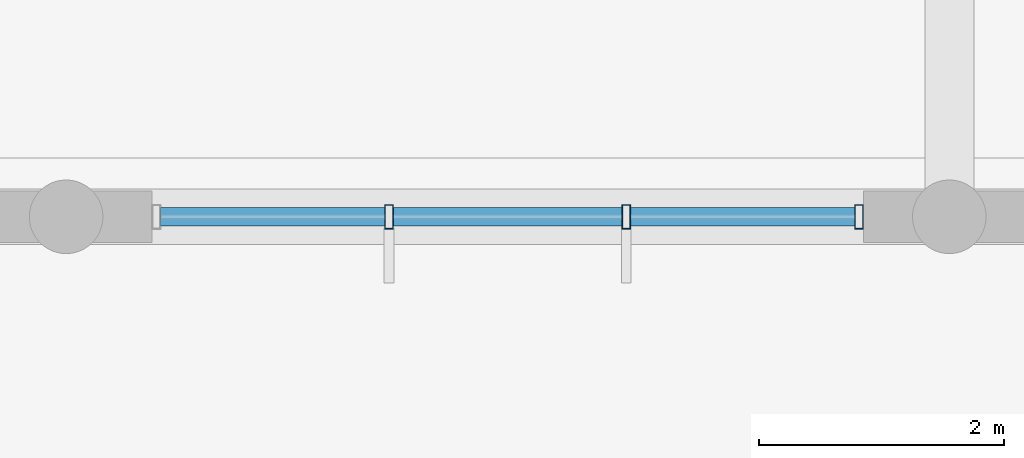
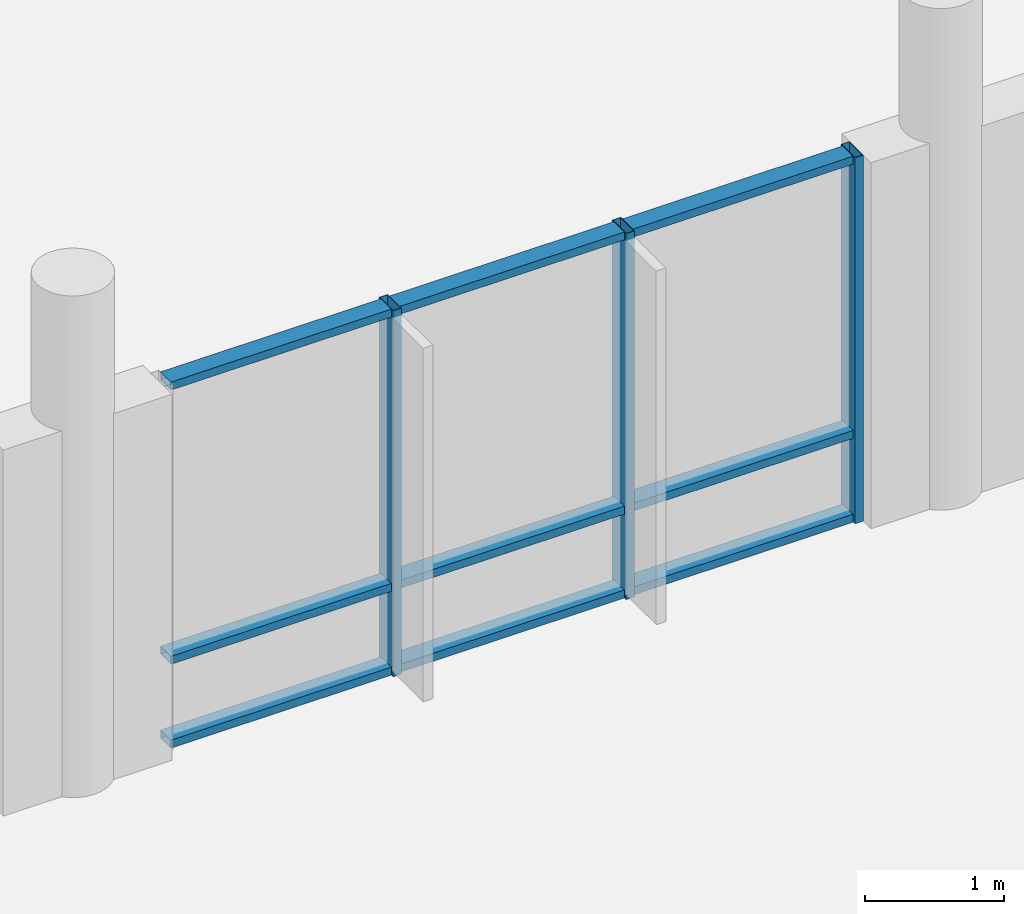
# One storey, part 67 of 233: 12 members, 1 element without a shape of its own.
"""IFC4 building model written with IfcOpenShell, lengths in metres."""

from ifc_helpers import new_model, si_unit, direction, frame, origin, origin_2d, place, context, subcontext, project, spatial, hollow_rectangle, extrude, material, material_profile, profile_set, type_object, element, aggregate, save


model = new_model("IFC4")

# Units and contexts
model_context = context("Model", 3, precision=1e-05, world=origin(), true_north=direction((0.0, 1.0)))
body_context = subcontext(model_context, "Body", "Model", "MODEL_VIEW")
ifc_project = project(units=[si_unit("LENGTHUNIT", "METRE"), si_unit("AREAUNIT", "SQUARE_METRE"), si_unit("VOLUMEUNIT", "CUBIC_METRE"), si_unit("PLANEANGLEUNIT", "RADIAN"), si_unit("MASSUNIT", "GRAM", prefix="KILO")], contexts=[model_context])

# Site, building, storey
site_placement = place(None, origin())
site = spatial("IfcSite", under=ifc_project, at=site_placement, CompositionType="ELEMENT")
building_placement = place(site_placement, origin())
building = spatial("IfcBuilding", under=site, at=building_placement, Name="Zavelmont Quarter", CompositionType="ELEMENT")
storey_placement = place(building_placement, origin())
storey = spatial("IfcBuildingStorey", under=building, at=storey_placement, Name="L00", CompositionType="ELEMENT", Elevation=0.0)

# Curtain wall, members
ifc_material_1 = material(Name="Thermally broken aluminium and double low-E safety glazing", Category="aluminium")
curtain_wall_type = type_object("IfcCurtainWallType", Name="CW-580X321", PredefinedType="NOTDEFINED", material=ifc_material_1)
curtain_wall_placement = place(storey_placement, origin())
curtain_wall = element("IfcCurtainWall", 1, at=curtain_wall_placement, inside=storey, type_object=curtain_wall_type, Name="L00 unitised curtain wall CW-580X321", PredefinedType="NOTDEFINED")
ifc_material_2 = material(Name="Powder-coated aluminium EN AW-6063-T6", Category="aluminium")
ifc_material_profile_1 = material_profile(ifc_material_2, hollow_rectangle(XDim=0.070068359375, YDim=0.199951171875, WallThickness=0.0048828125, at=origin_2d()), Name="CWM70X200")
ifc_profile_set_1 = profile_set([ifc_material_profile_1], Name="Powder-coated aluminium EN AW-6063-T6")
member_type_1 = type_object("IfcMemberType", Name="CWM02", PredefinedType="MULLION", material=ifc_profile_set_1)
member_1_placement = place(storey_placement, frame((65.033447265625, 30.0, 0.0), z_axis=(0.0, 0.0, 1.0), x_axis=(1.0, 0.0, 0.0)))
member_1 = element("IfcMember", 2, at=member_1_placement, type_object=member_type_1, Name="CW-580X321 mullion 2", PredefinedType="MULLION", context=body_context, shape_type="SweptSolid", body=[
    extrude(hollow_rectangle(XDim=0.070068359375, YDim=0.199951171875, WallThickness=0.0048828125, at=origin_2d()), origin(), (0.0, 0.0, 1.0), 3.2099609375),
])
member_2_placement = place(storey_placement, frame((66.966552734375, 30.0, 0.0), z_axis=(0.0, 0.0, 1.0), x_axis=(1.0, 0.0, 0.0)))
member_2 = element("IfcMember", 3, at=member_2_placement, type_object=member_type_1, Name="CW-580X321 mullion 3", PredefinedType="MULLION", context=body_context, shape_type="SweptSolid", body=[
    extrude(hollow_rectangle(XDim=0.070068359375, YDim=0.199951171875, WallThickness=0.0048828125, at=origin_2d()), origin(), (0.0, 0.0, 1.0), 3.2099609375),
])
member_3_placement = place(storey_placement, frame((68.864990234375, 30.0, 0.0), z_axis=(0.0, 0.0, 1.0), x_axis=(1.0, 0.0, 0.0)))
member_3 = element("IfcMember", 4, at=member_3_placement, type_object=member_type_1, Name="CW-580X321 mullion 4", PredefinedType="MULLION", context=body_context, shape_type="SweptSolid", body=[
    extrude(hollow_rectangle(XDim=0.070068359375, YDim=0.199951171875, WallThickness=0.0048828125, at=origin_2d()), origin(), (0.0, 0.0, 1.0), 3.2099609375),
])
ifc_material_profile_2 = material_profile(ifc_material_2, hollow_rectangle(XDim=0.14990234375, YDim=0.070068359375, WallThickness=0.00439453125, at=origin_2d()), Name="CWT70X150")
ifc_profile_set_2 = profile_set([ifc_material_profile_2], Name="Powder-coated aluminium EN AW-6063-T6")
member_type_2 = type_object("IfcMemberType", Name="CWT02", PredefinedType="NOTDEFINED", material=ifc_profile_set_2)
member_4_placement = place(storey_placement, frame((63.169921875, 30.0, 0.034912109375), z_axis=(1.0, 0.0, 0.0), x_axis=(0.0, 1.0, 0.0)))
member_4 = element("IfcMember", 5, at=member_4_placement, type_object=member_type_2, Name="CW-580X321 transom 1.1", ObjectType="TRANSOM", PredefinedType="USERDEFINED", context=body_context, shape_type="SweptSolid", body=[
    extrude(hollow_rectangle(XDim=0.14990234375, YDim=0.070068359375, WallThickness=0.00439453125, at=origin_2d()), origin(), (0.0, 0.0, 1.0), 1.828369140625),
])
member_5_placement = place(storey_placement, frame((63.169921875, 30.0, 0.77001953125), z_axis=(1.0, 0.0, 0.0), x_axis=(0.0, 1.0, 0.0)))
member_5 = element("IfcMember", 6, at=member_5_placement, type_object=member_type_2, Name="CW-580X321 transom 1.2", ObjectType="TRANSOM", PredefinedType="USERDEFINED", context=body_context, shape_type="SweptSolid", body=[
    extrude(hollow_rectangle(XDim=0.14990234375, YDim=0.070068359375, WallThickness=0.00439453125, at=origin_2d()), origin(), (0.0, 0.0, 1.0), 1.828369140625),
])
member_6_placement = place(storey_placement, frame((63.169921875, 30.0, 3.175048828125), z_axis=(1.0, 0.0, 0.0), x_axis=(0.0, 1.0, 0.0)))
member_6 = element("IfcMember", 7, at=member_6_placement, type_object=member_type_2, Name="CW-580X321 transom 1.3", ObjectType="TRANSOM", PredefinedType="USERDEFINED", context=body_context, shape_type="SweptSolid", body=[
    extrude(hollow_rectangle(XDim=0.14990234375, YDim=0.070068359375, WallThickness=0.00439453125, at=origin_2d()), origin(), (0.0, 0.0, 1.0), 1.828369140625),
])
member_7_placement = place(storey_placement, frame((65.068359375, 30.0, 0.034912109375), z_axis=(1.0, 0.0, 0.0), x_axis=(0.0, 1.0, 0.0)))
member_7 = element("IfcMember", 8, at=member_7_placement, type_object=member_type_2, Name="CW-580X321 transom 2.1", ObjectType="TRANSOM", PredefinedType="USERDEFINED", context=body_context, shape_type="SweptSolid", body=[
    extrude(hollow_rectangle(XDim=0.14990234375, YDim=0.070068359375, WallThickness=0.00439453125, at=origin_2d()), origin(), (0.0, 0.0, 1.0), 1.86328125),
])
member_8_placement = place(storey_placement, frame((65.068359375, 30.0, 0.77001953125), z_axis=(1.0, 0.0, 0.0), x_axis=(0.0, 1.0, 0.0)))
member_8 = element("IfcMember", 9, at=member_8_placement, type_object=member_type_2, Name="CW-580X321 transom 2.2", ObjectType="TRANSOM", PredefinedType="USERDEFINED", context=body_context, shape_type="SweptSolid", body=[
    extrude(hollow_rectangle(XDim=0.14990234375, YDim=0.070068359375, WallThickness=0.00439453125, at=origin_2d()), origin(), (0.0, 0.0, 1.0), 1.86328125),
])
member_9_placement = place(storey_placement, frame((65.068359375, 30.0, 3.175048828125), z_axis=(1.0, 0.0, 0.0), x_axis=(0.0, 1.0, 0.0)))
member_9 = element("IfcMember", 10, at=member_9_placement, type_object=member_type_2, Name="CW-580X321 transom 2.3", ObjectType="TRANSOM", PredefinedType="USERDEFINED", context=body_context, shape_type="SweptSolid", body=[
    extrude(hollow_rectangle(XDim=0.14990234375, YDim=0.070068359375, WallThickness=0.00439453125, at=origin_2d()), origin(), (0.0, 0.0, 1.0), 1.86328125),
])
member_10_placement = place(storey_placement, frame((67.001708984375, 30.0, 0.034912109375), z_axis=(1.0, 0.0, 0.0), x_axis=(0.0, 1.0, 0.0)))
member_10 = element("IfcMember", 11, at=member_10_placement, type_object=member_type_2, Name="CW-580X321 transom 3.1", ObjectType="TRANSOM", PredefinedType="USERDEFINED", context=body_context, shape_type="SweptSolid", body=[
    extrude(hollow_rectangle(XDim=0.14990234375, YDim=0.070068359375, WallThickness=0.00439453125, at=origin_2d()), origin(), (0.0, 0.0, 1.0), 1.828369140625),
])
member_11_placement = place(storey_placement, frame((67.001708984375, 30.0, 0.77001953125), z_axis=(1.0, 0.0, 0.0), x_axis=(0.0, 1.0, 0.0)))
member_11 = element("IfcMember", 12, at=member_11_placement, type_object=member_type_2, Name="CW-580X321 transom 3.2", ObjectType="TRANSOM", PredefinedType="USERDEFINED", context=body_context, shape_type="SweptSolid", body=[
    extrude(hollow_rectangle(XDim=0.14990234375, YDim=0.070068359375, WallThickness=0.00439453125, at=origin_2d()), origin(), (0.0, 0.0, 1.0), 1.828369140625),
])
member_12_placement = place(storey_placement, frame((67.001708984375, 30.0, 3.175048828125), z_axis=(1.0, 0.0, 0.0), x_axis=(0.0, 1.0, 0.0)))
member_12 = element("IfcMember", 13, at=member_12_placement, type_object=member_type_2, Name="CW-580X321 transom 3.3", ObjectType="TRANSOM", PredefinedType="USERDEFINED", context=body_context, shape_type="SweptSolid", body=[
    extrude(hollow_rectangle(XDim=0.14990234375, YDim=0.070068359375, WallThickness=0.00439453125, at=origin_2d()), origin(), (0.0, 0.0, 1.0), 1.828369140625),
])
aggregate(curtain_wall, [member_1, member_2, member_3, member_4, member_5, member_6, member_7, member_8, member_9, member_10, member_11, member_12])

save(model, "model.ifc")
